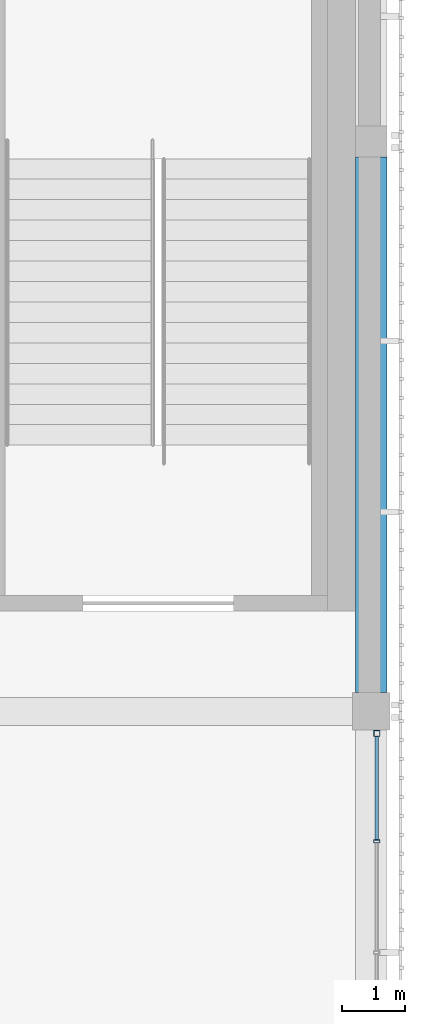
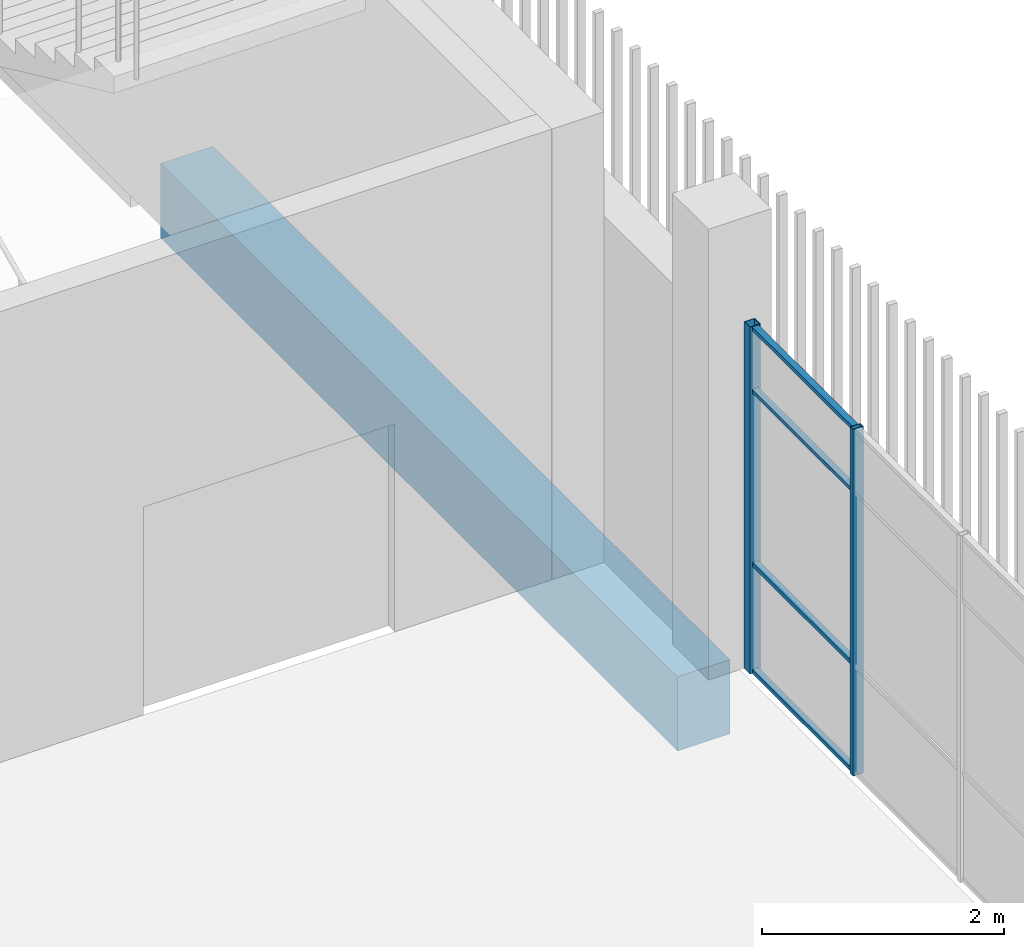
# One storey, part 50 of 126: 6 members, 1 beam, 1 element without a shape of its own.
"""IFC4 building model written with IfcOpenShell, lengths in metres."""

from ifc_helpers import new_model, si_unit, direction, frame, origin, origin_2d, place, context, subcontext, project, spatial, rectangle, hollow_rectangle, extrude, material, layer, layer_set, material_profile, profile_set, type_object, element, aggregate, save


model = new_model("IFC4")

# Units and contexts
model_context = context("Model", 3, precision=1e-05, world=origin(), true_north=direction((0.0, 1.0)))
body_context = subcontext(model_context, "Body", "Model", "MODEL_VIEW")
ifc_project = project(units=[si_unit("LENGTHUNIT", "METRE"), si_unit("AREAUNIT", "SQUARE_METRE"), si_unit("VOLUMEUNIT", "CUBIC_METRE"), si_unit("PLANEANGLEUNIT", "RADIAN"), si_unit("MASSUNIT", "GRAM", prefix="KILO")], contexts=[model_context])

# Site, building, storey
site_placement = place(None, origin())
site = spatial("IfcSite", under=ifc_project, at=site_placement, CompositionType="ELEMENT")
building_placement = place(site_placement, origin())
building = spatial("IfcBuilding", under=site, at=building_placement, Name="Shirokan Park Arena", CompositionType="ELEMENT")
storey_placement = place(building_placement, frame((0.0, 0.0, 6.3701171875)))
storey = spatial("IfcBuildingStorey", under=building, at=storey_placement, Name="L01", CompositionType="ELEMENT", Elevation=6.3701171875)

# Curtain wall, members
ifc_material_1 = material(Name="Steel and glass curtain wall", Category="steel")
ifc_layer = layer(ifc_material_1, 0.1201171875)
ifc_layer_set = layer_set([ifc_layer], Name="Steel and glass curtain wall 120 mm")
curtain_wall_type = type_object("IfcCurtainWallType", Name="Curtain wall corner block side bay 120", PredefinedType="NOTDEFINED", material=ifc_layer_set)
curtain_wall_placement = place(storey_placement, origin())
curtain_wall = element("IfcCurtainWall", 1, at=curtain_wall_placement, inside=storey, type_object=curtain_wall_type, Name="Curtain wall east bay 2 L01", PredefinedType="NOTDEFINED")
ifc_material_2 = material(Name="Steel S355", Category="steel")
ifc_material_profile_1 = material_profile(ifc_material_2, hollow_rectangle(XDim=0.10009765625, YDim=0.10009765625, WallThickness=0.006103515625, at=origin_2d()), Name="RHS 100x100x6")
ifc_profile_set_1 = profile_set([ifc_material_profile_1], Name="Steel S355")
member_type_1 = type_object("IfcMemberType", Name="Mullion RHS 100x100x6", PredefinedType="MULLION", material=ifc_profile_set_1)
member_1_placement = place(storey_placement, frame((145.68994140625, 17.85009765625, 0.0), z_axis=(0.0, 0.0, 1.0), x_axis=(-1.0, 0.0, 0.0)))
member_1 = element("IfcMember", 2, at=member_1_placement, type_object=member_type_1, Name="CW3 mullion 5", PredefinedType="MULLION", context=body_context, shape_type="SweptSolid", body=[
    extrude(hollow_rectangle(XDim=0.10009765625, YDim=0.10009765625, WallThickness=0.006103515625, at=origin_2d()), origin(), (0.0, 0.0, 1.0), 3.5),
])
ifc_material_profile_2 = material_profile(ifc_material_2, hollow_rectangle(XDim=0.10009765625, YDim=0.050048828125, WallThickness=0.0048828125, at=origin_2d()), Name="RHS 100x50x5")
ifc_profile_set_2 = profile_set([ifc_material_profile_2], Name="Steel S355")
member_type_2 = type_object("IfcMemberType", Name="Mullion RHS 100x50x5", PredefinedType="MULLION", material=ifc_profile_set_2)
member_2_placement = place(storey_placement, frame((145.68994140625, 16.125, 0.0), z_axis=(0.0, 0.0, 1.0), x_axis=(-1.0, 0.0, 0.0)))
member_2 = element("IfcMember", 3, at=member_2_placement, type_object=member_type_2, Name="CW3 mullion 4", PredefinedType="MULLION", context=body_context, shape_type="SweptSolid", body=[
    extrude(hollow_rectangle(XDim=0.10009765625, YDim=0.050048828125, WallThickness=0.0048828125, at=origin_2d()), origin(), (0.0, 0.0, 1.0), 3.5),
])

# Beam
ifc_material_3 = material(Name="Concrete C35", Category="concrete")
ifc_material_profile_3 = material_profile(ifc_material_3, rectangle(XDim=0.5, YDim=0.75, at=origin_2d()), Name="500x750")
ifc_profile_set_3 = profile_set([ifc_material_profile_3], Name="Concrete C35")
beam_type = type_object("IfcBeamType", Name="RC girder 500x750", PredefinedType="BEAM", material=ifc_profile_set_3)
beam_placement = place(storey_placement, frame((145.60009765625, 18.5, -0.72509765625), z_axis=(0.0, 1.0, 0.0), x_axis=(-1.0, 0.0, 0.0)))
element("IfcBeam", 4, at=beam_placement, inside=storey, type_object=beam_type, Name="Girder 17C-17D L01", PredefinedType="BEAM", context=body_context, shape_type="SweptSolid", body=[
    extrude(rectangle(XDim=0.5, YDim=0.75, at=origin_2d()), origin(), (0.0, 0.0, 1.0), 8.5498046875),
])

# Member
ifc_material_profile_4 = material_profile(ifc_material_2, hollow_rectangle(XDim=0.06005859375, YDim=0.0400390625, WallThickness=0.00390625, at=origin_2d()), Name="RHS 60x40x4")
ifc_profile_set_4 = profile_set([ifc_material_profile_4], Name="Steel S355")
member_type_3 = type_object("IfcMemberType", Name="Transom RHS 60x40x4", PredefinedType="MULLION", material=ifc_profile_set_4)
member_3_placement = place(storey_placement, frame((145.68994140625, 16.14990234375, 0.019775390625), z_axis=(0.0, 1.0, 0.0), x_axis=(-1.0, 0.0, 0.0)))
member_3 = element("IfcMember", 5, at=member_3_placement, type_object=member_type_3, Name="CW3 transom 4.1", PredefinedType="MULLION", context=body_context, shape_type="SweptSolid", body=[
    extrude(hollow_rectangle(XDim=0.06005859375, YDim=0.0400390625, WallThickness=0.00390625, at=origin_2d()), origin(), (0.0, 0.0, 1.0), 1.650146484375),
])

member_4_placement = place(storey_placement, frame((145.68994140625, 16.14990234375, 1.099853515625), z_axis=(0.0, 1.0, 0.0), x_axis=(-1.0, 0.0, 0.0)))
member_4 = element("IfcMember", 6, at=member_4_placement, type_object=member_type_3, Name="CW3 transom 4.2", PredefinedType="MULLION", context=body_context, shape_type="SweptSolid", body=[
    extrude(hollow_rectangle(XDim=0.06005859375, YDim=0.0400390625, WallThickness=0.00390625, at=origin_2d()), origin(), (0.0, 0.0, 1.0), 1.650146484375),
])

member_5_placement = place(storey_placement, frame((145.68994140625, 16.14990234375, 2.849853515625), z_axis=(0.0, 1.0, 0.0), x_axis=(-1.0, 0.0, 0.0)))
member_5 = element("IfcMember", 7, at=member_5_placement, type_object=member_type_3, Name="CW3 transom 4.3", PredefinedType="MULLION", context=body_context, shape_type="SweptSolid", body=[
    extrude(hollow_rectangle(XDim=0.06005859375, YDim=0.0400390625, WallThickness=0.00390625, at=origin_2d()), origin(), (0.0, 0.0, 1.0), 1.650146484375),
])

member_6_placement = place(storey_placement, frame((145.68994140625, 16.14990234375, 3.47998046875), z_axis=(0.0, 1.0, 0.0), x_axis=(-1.0, 0.0, 0.0)))
member_6 = element("IfcMember", 8, at=member_6_placement, type_object=member_type_3, Name="CW3 transom 4.4", PredefinedType="MULLION", context=body_context, shape_type="SweptSolid", body=[
    extrude(hollow_rectangle(XDim=0.06005859375, YDim=0.0400390625, WallThickness=0.00390625, at=origin_2d()), origin(), (0.0, 0.0, 1.0), 1.650146484375),
])

aggregate(curtain_wall, [member_2, member_1, member_3, member_4, member_5, member_6])

save(model, "model.ifc")
